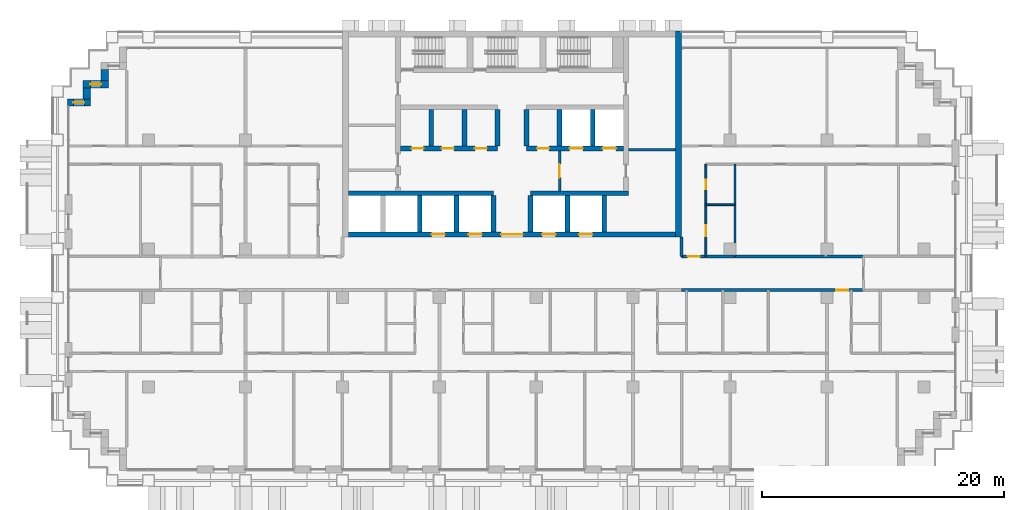
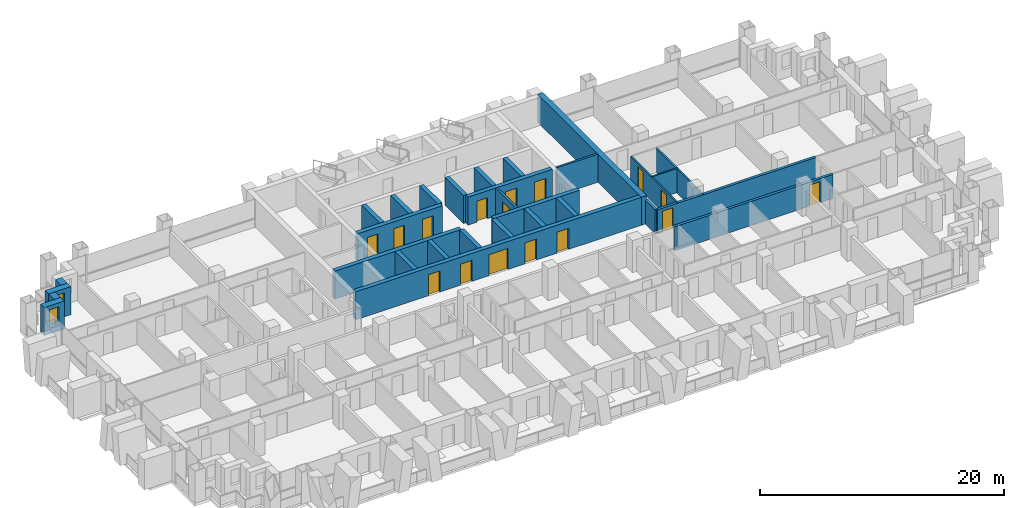
# One storey, part 12 of 19: 30 walls, 16 doors, 2 windows, 18 openings.
"""IFC4 building model written with IfcOpenShell, lengths in metres."""

from ifc_helpers import new_model, si_unit, direction, frame, frame_2d, origin, place, context, subcontext, project, spatial, rectangle, extrude, material, layer, layer_set, type_object, element, fill, save


model = new_model("IFC4")

# Units and contexts
model_context = context("Model", 3, precision=1e-05, world=origin(), true_north=direction((0.0, 1.0)))
body_context = subcontext(model_context, "Body", "Model", "MODEL_VIEW")
ifc_project = project(units=[si_unit("LENGTHUNIT", "METRE"), si_unit("AREAUNIT", "SQUARE_METRE"), si_unit("VOLUMEUNIT", "CUBIC_METRE"), si_unit("PLANEANGLEUNIT", "RADIAN"), si_unit("MASSUNIT", "GRAM", prefix="KILO")], contexts=[model_context])

# Site, building, storey
site_placement = place(None, origin())
site = spatial("IfcSite", under=ifc_project, at=site_placement, CompositionType="ELEMENT")
building_placement = place(site_placement, origin())
building = spatial("IfcBuilding", under=site, at=building_placement, Name="Vidyagriha Tower", CompositionType="ELEMENT")
storey_placement = place(building_placement, frame((0.0, 0.0, 60.800048828125)))
storey = spatial("IfcBuildingStorey", under=building, at=storey_placement, Name="L16", CompositionType="ELEMENT", Elevation=60.800048828125)

# Wall
ifc_material_1 = material(Name="Precast concrete C40/50 with brick facing", Category="concrete")
ifc_layer_1 = layer(ifc_material_1, 0.60009765625)
ifc_layer_set_1 = layer_set([ifc_layer_1], Name="Precast concrete C40/50 with brick facing")
wall_type_1 = type_object("IfcWallType", Name="Brick-faced precast wall 600", PredefinedType="STANDARD", material=ifc_layer_set_1)
wall_1_placement = place(storey_placement, frame((-33.60009765625, 16.800048828125, 0.0), z_axis=(0.0, 0.0, 1.0), x_axis=(0.0, -1.0, 0.0)))
element("IfcWall", 1, at=wall_1_placement, inside=storey, type_object=wall_type_1, Name="Stepped corner wall L16 R12", PredefinedType="STANDARD", context=body_context, shape_type="SweptSolid", body=[
    extrude(rectangle(XDim=0.900146484375, YDim=0.60009765625, at=frame_2d((0.4501953125, 0.0))), origin(), (0.0, 0.0, 1.0), 2.800048828125),
])

# Wall, opening, window
wall_2_placement = place(storey_placement, frame((-33.300048828125, 15.60009765625, 0.0), z_axis=(0.0, 0.0, 1.0), x_axis=(-1.0, 0.0, 0.0)))
wall_2 = element("IfcWall", 2, at=wall_2_placement, inside=storey, type_object=wall_type_1, Name="Stepped corner wall L16 R13", PredefinedType="STANDARD", context=body_context, shape_type="SweptSolid", body=[
    extrude(rectangle(XDim=2.099853515625, YDim=0.60009765625, at=frame_2d((1.0498046875, 0.0))), origin(), (0.0, 0.0, 1.0), 2.800048828125),
])
opening_1_placement = place(wall_2_placement, frame((0.60009765625, 0.0, 0.89990234375)))
opening_1 = element("IfcOpeningElement", 3, at=opening_1_placement, cuts=wall_2, Name="Opening WN1", PredefinedType="OPENING", context=body_context, shape_type="SweptSolid", body=[
    extrude(rectangle(XDim=0.89990234375, YDim=1.5, at=frame_2d((0.449951171875, 0.75))), frame((0.0, 0.31005859375, 0.0), z_axis=(0.0, -1.0, 0.0), x_axis=(1.0, 0.0, 0.0)), (0.0, 0.0, 1.0), 0.6201171875),
])
ifc_material_2 = material(Name="Aluminium and glass window", Category="aluminium")
window_type = type_object("IfcWindowType", Name="Reveal window 900x1500", PartitioningType="NOTDEFINED", PredefinedType="WINDOW", material=ifc_material_2)
window_1_placement = place(opening_1_placement, origin())
window_1 = element("IfcWindow", 4, at=window_1_placement, inside=storey, type_object=window_type, Name="Reveal window L16 R13", OverallHeight=1.5, OverallWidth=0.89990234375, PartitioningType="SINGLE_PANEL", PredefinedType="WINDOW", context=body_context, shape_type="SweptSolid", body=[
    extrude(rectangle(XDim=0.89990234375, YDim=1.5, at=frame_2d((0.449951171875, 0.75))), frame((0.0, 0.030029296875, 0.0), z_axis=(0.0, -1.0, 0.0), x_axis=(1.0, 0.0, 0.0)), (0.0, 0.0, 1.0), 0.06005859375),
])
fill(opening_1, window_1)

# Wall
wall_3_placement = place(storey_placement, frame((-35.10009765625, 15.300048828125, 0.0), z_axis=(0.0, 0.0, 1.0), x_axis=(0.0, -1.0, 0.0)))
element("IfcWall", 5, at=wall_3_placement, inside=storey, type_object=wall_type_1, Name="Stepped corner wall L16 R14", PredefinedType="STANDARD", context=body_context, shape_type="SweptSolid", body=[
    extrude(rectangle(XDim=0.900146484375, YDim=0.60009765625, at=frame_2d((0.4501953125, 0.0))), origin(), (0.0, 0.0, 1.0), 2.800048828125),
])

# Wall, opening, window
wall_4_placement = place(storey_placement, frame((-34.800048828125, 14.10009765625, 0.0), z_axis=(0.0, 0.0, 1.0), x_axis=(-1.0, 0.0, 0.0)))
wall_4 = element("IfcWall", 6, at=wall_4_placement, inside=storey, type_object=wall_type_1, Name="Stepped corner wall L16 R15", PredefinedType="STANDARD", context=body_context, shape_type="SweptSolid", body=[
    extrude(rectangle(XDim=1.8798828125, YDim=0.60009765625, at=frame_2d((0.93994140625, 0.0))), origin(), (0.0, 0.0, 1.0), 2.800048828125),
])
opening_2_placement = place(wall_4_placement, frame((0.489990234375, 0.0, 0.89990234375)))
opening_2 = element("IfcOpeningElement", 7, at=opening_2_placement, cuts=wall_4, Name="Opening WN1", PredefinedType="OPENING", context=body_context, shape_type="SweptSolid", body=[
    extrude(rectangle(XDim=0.89990234375, YDim=1.5, at=frame_2d((0.449951171875, 0.75))), frame((0.0, 0.31005859375, 0.0), z_axis=(0.0, -1.0, 0.0), x_axis=(1.0, 0.0, 0.0)), (0.0, 0.0, 1.0), 0.6201171875),
])
window_2_placement = place(opening_2_placement, origin())
window_2 = element("IfcWindow", 8, at=window_2_placement, inside=storey, type_object=window_type, Name="Reveal window L16 R15", OverallHeight=1.5, OverallWidth=0.89990234375, PartitioningType="SINGLE_PANEL", PredefinedType="WINDOW", context=body_context, shape_type="SweptSolid", body=[
    extrude(rectangle(XDim=0.89990234375, YDim=1.5, at=frame_2d((0.449951171875, 0.75))), frame((0.0, 0.030029296875, 0.0), z_axis=(0.0, -1.0, 0.0), x_axis=(1.0, 0.0, 0.0)), (0.0, 0.0, 1.0), 0.06005859375),
])
fill(opening_2, window_2)

# Wall, openings, doors
ifc_material_3 = material(Name="Concrete C60/75", Category="concrete")
ifc_layer_2 = layer(ifc_material_3, 0.39990234375)
ifc_layer_set_2 = layer_set([ifc_layer_2], Name="Concrete C60/75")
wall_type_2 = type_object("IfcWallType", Name="Core shear wall 400 mm", PredefinedType="SHEAR", material=ifc_layer_set_2)
wall_5_placement = place(storey_placement, frame((-13.5, 3.199951171875, 0.0)))
wall_5 = element("IfcWall", 9, at=wall_5_placement, inside=storey, type_object=wall_type_2, Name="Core front wall", PredefinedType="SHEAR", context=body_context, shape_type="SweptSolid", body=[
    extrude(rectangle(XDim=27.0, YDim=0.39990234375, at=frame_2d((13.5, 0.0))), origin(), (0.0, 0.0, 1.0), 2.800048828125),
])
opening_3_placement = place(wall_5_placement, frame((6.861083984375, 0.0, 0.0)))
opening_3 = element("IfcOpeningElement", 10, at=opening_3_placement, cuts=wall_5, Name="Opening LD16-01", PredefinedType="OPENING", context=body_context, shape_type="SweptSolid", body=[
    extrude(rectangle(XDim=1.10009765625, YDim=2.10009765625, at=frame_2d((0.550048828125, 1.050048828125))), frame((0.0, 0.2099609375, 0.0), z_axis=(0.0, -1.0, 0.0), x_axis=(1.0, 0.0, 0.0)), (0.0, 0.0, 1.0), 0.419921875),
])
opening_4_placement = place(wall_5_placement, frame((9.905517578125, 0.0, 0.0)))
opening_4 = element("IfcOpeningElement", 11, at=opening_4_placement, cuts=wall_5, Name="Opening LD16-02", PredefinedType="OPENING", context=body_context, shape_type="SweptSolid", body=[
    extrude(rectangle(XDim=1.10009765625, YDim=2.10009765625, at=frame_2d((0.550048828125, 1.050048828125))), frame((0.0, 0.2099609375, 0.0), z_axis=(0.0, -1.0, 0.0), x_axis=(1.0, 0.0, 0.0)), (0.0, 0.0, 1.0), 0.419921875),
])
opening_5_placement = place(wall_5_placement, frame((15.994384765625, 0.0, 0.0)))
opening_5 = element("IfcOpeningElement", 12, at=opening_5_placement, cuts=wall_5, Name="Opening LD16-03", PredefinedType="OPENING", context=body_context, shape_type="SweptSolid", body=[
    extrude(rectangle(XDim=1.10009765625, YDim=2.10009765625, at=frame_2d((0.550048828125, 1.050048828125))), frame((0.0, 0.2099609375, 0.0), z_axis=(0.0, -1.0, 0.0), x_axis=(1.0, 0.0, 0.0)), (0.0, 0.0, 1.0), 0.419921875),
])
opening_6_placement = place(wall_5_placement, frame((19.038818359375, 0.0, 0.0)))
opening_6 = element("IfcOpeningElement", 13, at=opening_6_placement, cuts=wall_5, Name="Opening LD16-04", PredefinedType="OPENING", context=body_context, shape_type="SweptSolid", body=[
    extrude(rectangle(XDim=1.10009765625, YDim=2.10009765625, at=frame_2d((0.550048828125, 1.050048828125))), frame((0.0, 0.2099609375, 0.0), z_axis=(0.0, -1.0, 0.0), x_axis=(1.0, 0.0, 0.0)), (0.0, 0.0, 1.0), 0.419921875),
])
opening_7_placement = place(wall_5_placement, frame((12.60009765625, 0.0, 0.0)))
opening_7 = element("IfcOpeningElement", 14, at=opening_7_placement, cuts=wall_5, Name="Opening D16-01", PredefinedType="OPENING", context=body_context, shape_type="SweptSolid", body=[
    extrude(rectangle(XDim=1.800048828125, YDim=2.10009765625, at=frame_2d((0.89990234375, 1.050048828125))), frame((0.0, 0.2099609375, 0.0), z_axis=(0.0, -1.0, 0.0), x_axis=(1.0, 0.0, 0.0)), (0.0, 0.0, 1.0), 0.419921875),
])
ifc_material_4 = material(Name="Hollow metal door leaf")
door_type_1 = type_object("IfcDoorType", Name="Core lobby double door 1800 x 2100 mm EI 60", OperationType="NOTDEFINED", PredefinedType="DOOR", material=ifc_material_4)
door_1_placement = place(opening_7_placement, frame((1.800048828125, 0.0, 0.0), z_axis=(0.0, 0.0, 1.0), x_axis=(-1.0, 0.0, 0.0)))
door_1 = element("IfcDoor", 15, at=door_1_placement, inside=storey, type_object=door_type_1, Name="Core entrance door L16", OperationType="DOUBLE_DOOR_SINGLE_SWING", OverallHeight=2.10009765625, OverallWidth=1.800048828125, PredefinedType="DOOR", context=body_context, shape_type="SweptSolid", body=[
    extrude(rectangle(XDim=1.800048828125, YDim=2.10009765625, at=frame_2d((0.89990234375, 1.050048828125))), frame((0.0, 0.02490234375, 0.0), z_axis=(0.0, -1.0, 0.0), x_axis=(1.0, 0.0, 0.0)), (0.0, 0.0, 1.0), 0.050048828125),
])
fill(opening_7, door_1)
ifc_material_5 = material(Name="Stainless steel sliding door panel", Category="steel")
door_type_2 = type_object("IfcDoorType", Name="Lift landing door 1100 x 2100 mm EI 90", OperationType="NOTDEFINED", PredefinedType="DOOR", material=ifc_material_5)
door_2_placement = place(opening_3_placement, origin())
door_2 = element("IfcDoor", 16, at=door_2_placement, inside=storey, type_object=door_type_2, Name="Landing door LR1 L16", OperationType="SLIDING_TO_LEFT", OverallHeight=2.10009765625, OverallWidth=1.10009765625, PredefinedType="DOOR", context=body_context, shape_type="SweptSolid", body=[
    extrude(rectangle(XDim=1.10009765625, YDim=2.10009765625, at=frame_2d((0.550048828125, 1.050048828125))), frame((0.0, 0.02490234375, 0.0), z_axis=(0.0, -1.0, 0.0), x_axis=(1.0, 0.0, 0.0)), (0.0, 0.0, 1.0), 0.050048828125),
])
fill(opening_3, door_2)
door_3_placement = place(opening_4_placement, origin())
door_3 = element("IfcDoor", 17, at=door_3_placement, inside=storey, type_object=door_type_2, Name="Landing door LR2 L16", OperationType="SLIDING_TO_LEFT", OverallHeight=2.10009765625, OverallWidth=1.10009765625, PredefinedType="DOOR", context=body_context, shape_type="SweptSolid", body=[
    extrude(rectangle(XDim=1.10009765625, YDim=2.10009765625, at=frame_2d((0.550048828125, 1.050048828125))), frame((0.0, 0.02490234375, 0.0), z_axis=(0.0, -1.0, 0.0), x_axis=(1.0, 0.0, 0.0)), (0.0, 0.0, 1.0), 0.050048828125),
])
fill(opening_4, door_3)
door_4_placement = place(opening_5_placement, origin())
door_4 = element("IfcDoor", 18, at=door_4_placement, inside=storey, type_object=door_type_2, Name="Landing door LR3 L16", OperationType="SLIDING_TO_LEFT", OverallHeight=2.10009765625, OverallWidth=1.10009765625, PredefinedType="DOOR", context=body_context, shape_type="SweptSolid", body=[
    extrude(rectangle(XDim=1.10009765625, YDim=2.10009765625, at=frame_2d((0.550048828125, 1.050048828125))), frame((0.0, 0.02490234375, 0.0), z_axis=(0.0, -1.0, 0.0), x_axis=(1.0, 0.0, 0.0)), (0.0, 0.0, 1.0), 0.050048828125),
])
fill(opening_5, door_4)
door_5_placement = place(opening_6_placement, origin())
door_5 = element("IfcDoor", 19, at=door_5_placement, inside=storey, type_object=door_type_2, Name="Landing door LR4 L16", OperationType="SLIDING_TO_LEFT", OverallHeight=2.10009765625, OverallWidth=1.10009765625, PredefinedType="DOOR", context=body_context, shape_type="SweptSolid", body=[
    extrude(rectangle(XDim=1.10009765625, YDim=2.10009765625, at=frame_2d((0.550048828125, 1.050048828125))), frame((0.0, 0.02490234375, 0.0), z_axis=(0.0, -1.0, 0.0), x_axis=(1.0, 0.0, 0.0)), (0.0, 0.0, 1.0), 0.050048828125),
])
fill(opening_6, door_5)

# Walls
wall_6_placement = place(storey_placement, frame((-13.5, 6.60009765625, 0.0)))
element("IfcWall", 20, at=wall_6_placement, inside=storey, type_object=wall_type_2, Name="Core lobby south wall west", PredefinedType="SHEAR", context=body_context, shape_type="SweptSolid", body=[
    extrude(rectangle(XDim=11.977783203125, YDim=0.39990234375, at=frame_2d((5.98876953125, 0.0))), origin(), (0.0, 0.0, 1.0), 2.800048828125),
])
wall_7_placement = place(storey_placement, frame((1.522216796875, 6.60009765625, 0.0)))
element("IfcWall", 21, at=wall_7_placement, inside=storey, type_object=wall_type_2, Name="Core lobby south wall east", PredefinedType="SHEAR", context=body_context, shape_type="SweptSolid", body=[
    extrude(rectangle(XDim=8.077880859375, YDim=0.39990234375, at=frame_2d((4.0390625, 0.0))), origin(), (0.0, 0.0, 1.0), 2.800048828125),
])
for number, where, z_axis, x_axis, name in (
    (22, (-7.611083984375, 3.39990234375, 0.0), (0.0, 0.0, 1.0), (0.0, 1.0, 0.0), "Core bay wall S2"),
    (23, (-4.566650390625, 3.39990234375, 0.0), (0.0, 0.0, 1.0), (0.0, 1.0, 0.0), "Core bay wall S3"),
    (24, (-1.522216796875, 3.39990234375, 0.0), (0.0, 0.0, 1.0), (0.0, 1.0, 0.0), "Core bay wall S4"),
    (25, (1.522216796875, 3.39990234375, 0.0), (0.0, 0.0, 1.0), (0.0, 1.0, 0.0), "Core bay wall S5"),
    (26, (4.566650390625, 3.39990234375, 0.0), (0.0, 0.0, 1.0), (0.0, 1.0, 0.0), "Core bay wall S6"),
    (27, (7.611083984375, 3.39990234375, 0.0), (0.0, 0.0, 1.0), (0.0, 1.0, 0.0), "Core bay wall S7"),
):
    element("IfcWall", number, at=place(storey_placement, frame(where, z_axis=z_axis, x_axis=x_axis)), inside=storey, type_object=wall_type_2, Name=name, PredefinedType="SHEAR", context=body_context, shape_type="SweptSolid", body=[
        extrude(rectangle(XDim=3.0, YDim=0.39990234375, at=frame_2d((1.5, 0.0))), origin(), (0.0, 0.0, 1.0), 2.800048828125),
    ])

# Wall, openings, doors
wall_8_placement = place(storey_placement, frame((-9.199951171875, 10.300048828125, 0.0)))
wall_8 = element("IfcWall", 28, at=wall_8_placement, inside=storey, type_object=wall_type_2, Name="Core row N front wall", PredefinedType="SHEAR", context=body_context, shape_type="SweptSolid", body=[
    extrude(rectangle(XDim=8.0, YDim=0.39990234375, at=frame_2d((4.0, 0.0))), origin(), (0.0, 0.0, 1.0), 2.800048828125),
])
opening_8_placement = place(wall_8_placement, frame((0.916748046875, 0.0, 0.0)))
opening_8 = element("IfcOpeningElement", 29, at=opening_8_placement, cuts=wall_8, Name="Opening D16-02", PredefinedType="OPENING", context=body_context, shape_type="SweptSolid", body=[
    extrude(rectangle(XDim=1.0, YDim=2.10009765625, at=frame_2d((0.5, 1.050048828125))), frame((0.0, 0.2099609375, 0.0), z_axis=(0.0, -1.0, 0.0), x_axis=(1.0, 0.0, 0.0)), (0.0, 0.0, 1.0), 0.419921875),
])
opening_9_placement = place(wall_8_placement, frame((3.39990234375, 0.0, 0.0)))
opening_9 = element("IfcOpeningElement", 30, at=opening_9_placement, cuts=wall_8, Name="Opening D16-03", PredefinedType="OPENING", context=body_context, shape_type="SweptSolid", body=[
    extrude(rectangle(XDim=1.0, YDim=2.10009765625, at=frame_2d((0.5, 1.050048828125))), frame((0.0, 0.2099609375, 0.0), z_axis=(0.0, -1.0, 0.0), x_axis=(1.0, 0.0, 0.0)), (0.0, 0.0, 1.0), 0.419921875),
])
opening_10_placement = place(wall_8_placement, frame((6.13330078125, 0.0, 0.0)))
opening_10 = element("IfcOpeningElement", 31, at=opening_10_placement, cuts=wall_8, Name="Opening D16-04", PredefinedType="OPENING", context=body_context, shape_type="SweptSolid", body=[
    extrude(rectangle(XDim=1.0, YDim=2.10009765625, at=frame_2d((0.5, 1.050048828125))), frame((0.0, 0.2099609375, 0.0), z_axis=(0.0, -1.0, 0.0), x_axis=(1.0, 0.0, 0.0)), (0.0, 0.0, 1.0), 0.419921875),
])
ifc_material_6 = material(Name="Hollow metal door leaf")
door_type_3 = type_object("IfcDoorType", Name="Core room door 1000 x 2100 mm EI 60", OperationType="NOTDEFINED", PredefinedType="DOOR", material=ifc_material_6)
door_6_placement = place(opening_8_placement, frame((1.0, 0.0, 0.0), z_axis=(0.0, 0.0, 1.0), x_axis=(-1.0, 0.0, 0.0)))
door_6 = element("IfcDoor", 32, at=door_6_placement, inside=storey, type_object=door_type_3, Name="Door Mechanical Riser Room 16.14", OperationType="SINGLE_SWING_RIGHT", OverallHeight=2.10009765625, OverallWidth=1.0, PredefinedType="DOOR", context=body_context, shape_type="SweptSolid", body=[
    extrude(rectangle(XDim=1.0, YDim=2.10009765625, at=frame_2d((0.5, 1.050048828125))), frame((0.0, 0.02490234375, 0.0), z_axis=(0.0, -1.0, 0.0), x_axis=(1.0, 0.0, 0.0)), (0.0, 0.0, 1.0), 0.050048828125),
])
fill(opening_8, door_6)
door_7_placement = place(opening_9_placement, frame((1.0, 0.0, 0.0), z_axis=(0.0, 0.0, 1.0), x_axis=(-1.0, 0.0, 0.0)))
door_7 = element("IfcDoor", 33, at=door_7_placement, inside=storey, type_object=door_type_3, Name="Door Storage Room 16.15", OperationType="SINGLE_SWING_RIGHT", OverallHeight=2.10009765625, OverallWidth=1.0, PredefinedType="DOOR", context=body_context, shape_type="SweptSolid", body=[
    extrude(rectangle(XDim=1.0, YDim=2.10009765625, at=frame_2d((0.5, 1.050048828125))), frame((0.0, 0.02490234375, 0.0), z_axis=(0.0, -1.0, 0.0), x_axis=(1.0, 0.0, 0.0)), (0.0, 0.0, 1.0), 0.050048828125),
])
fill(opening_9, door_7)
door_8_placement = place(opening_10_placement, frame((1.0, 0.0, 0.0), z_axis=(0.0, 0.0, 1.0), x_axis=(-1.0, 0.0, 0.0)))
door_8 = element("IfcDoor", 34, at=door_8_placement, inside=storey, type_object=door_type_3, Name="Door Communications Room 16.16", OperationType="SINGLE_SWING_LEFT", OverallHeight=2.10009765625, OverallWidth=1.0, PredefinedType="DOOR", context=body_context, shape_type="SweptSolid", body=[
    extrude(rectangle(XDim=1.0, YDim=2.10009765625, at=frame_2d((0.5, 1.050048828125))), frame((0.0, 0.02490234375, 0.0), z_axis=(0.0, -1.0, 0.0), x_axis=(1.0, 0.0, 0.0)), (0.0, 0.0, 1.0), 0.050048828125),
])
fill(opening_10, door_8)

wall_9_placement = place(storey_placement, frame((1.199951171875, 10.300048828125, 0.0)))
wall_9 = element("IfcWall", 35, at=wall_9_placement, inside=storey, type_object=wall_type_2, Name="Core row N front wall", PredefinedType="SHEAR", context=body_context, shape_type="SweptSolid", body=[
    extrude(rectangle(XDim=8.0, YDim=0.39990234375, at=frame_2d((4.0, 0.0))), origin(), (0.0, 0.0, 1.0), 2.800048828125),
])
opening_11_placement = place(wall_9_placement, frame((3.550048828125, 0.0, 0.0)))
opening_11 = element("IfcOpeningElement", 36, at=opening_11_placement, cuts=wall_9, Name="Opening LD16-05", PredefinedType="OPENING", context=body_context, shape_type="SweptSolid", body=[
    extrude(rectangle(XDim=1.10009765625, YDim=2.10009765625, at=frame_2d((0.550048828125, 1.050048828125))), frame((0.0, 0.2099609375, 0.0), z_axis=(0.0, -1.0, 0.0), x_axis=(1.0, 0.0, 0.0)), (0.0, 0.0, 1.0), 0.419921875),
])
opening_12_placement = place(wall_9_placement, frame((6.283203125, 0.0, 0.0)))
opening_12 = element("IfcOpeningElement", 37, at=opening_12_placement, cuts=wall_9, Name="Opening LD16-06", PredefinedType="OPENING", context=body_context, shape_type="SweptSolid", body=[
    extrude(rectangle(XDim=1.10009765625, YDim=2.10009765625, at=frame_2d((0.550048828125, 1.050048828125))), frame((0.0, 0.2099609375, 0.0), z_axis=(0.0, -1.0, 0.0), x_axis=(1.0, 0.0, 0.0)), (0.0, 0.0, 1.0), 0.419921875),
])
opening_13_placement = place(wall_9_placement, frame((0.86669921875, 0.0, 0.0)))
opening_13 = element("IfcOpeningElement", 38, at=opening_13_placement, cuts=wall_9, Name="Opening D16-05", PredefinedType="OPENING", context=body_context, shape_type="SweptSolid", body=[
    extrude(rectangle(XDim=1.0, YDim=2.10009765625, at=frame_2d((0.5, 1.050048828125))), frame((0.0, 0.2099609375, 0.0), z_axis=(0.0, -1.0, 0.0), x_axis=(1.0, 0.0, 0.0)), (0.0, 0.0, 1.0), 0.419921875),
])
door_9_placement = place(opening_13_placement, frame((1.0, 0.0, 0.0), z_axis=(0.0, 0.0, 1.0), x_axis=(-1.0, 0.0, 0.0)))
door_9 = element("IfcDoor", 39, at=door_9_placement, inside=storey, type_object=door_type_3, Name="Door Refuse Room 16.17", OperationType="SINGLE_SWING_LEFT", OverallHeight=2.10009765625, OverallWidth=1.0, PredefinedType="DOOR", context=body_context, shape_type="SweptSolid", body=[
    extrude(rectangle(XDim=1.0, YDim=2.10009765625, at=frame_2d((0.5, 1.050048828125))), frame((0.0, 0.02490234375, 0.0), z_axis=(0.0, -1.0, 0.0), x_axis=(1.0, 0.0, 0.0)), (0.0, 0.0, 1.0), 0.050048828125),
])
fill(opening_13, door_9)
door_10_placement = place(opening_11_placement, origin())
door_10 = element("IfcDoor", 40, at=door_10_placement, inside=storey, type_object=door_type_2, Name="Landing door FF1 L16", OperationType="SLIDING_TO_LEFT", OverallHeight=2.10009765625, OverallWidth=1.10009765625, PredefinedType="DOOR", context=body_context, shape_type="SweptSolid", body=[
    extrude(rectangle(XDim=1.10009765625, YDim=2.10009765625, at=frame_2d((0.550048828125, 1.050048828125))), frame((0.0, 0.02490234375, 0.0), z_axis=(0.0, -1.0, 0.0), x_axis=(1.0, 0.0, 0.0)), (0.0, 0.0, 1.0), 0.050048828125),
])
fill(opening_11, door_10)
door_11_placement = place(opening_12_placement, origin())
door_11 = element("IfcDoor", 41, at=door_11_placement, inside=storey, type_object=door_type_2, Name="Landing door FF2 L16", OperationType="SLIDING_TO_LEFT", OverallHeight=2.10009765625, OverallWidth=1.10009765625, PredefinedType="DOOR", context=body_context, shape_type="SweptSolid", body=[
    extrude(rectangle(XDim=1.10009765625, YDim=2.10009765625, at=frame_2d((0.550048828125, 1.050048828125))), frame((0.0, 0.02490234375, 0.0), z_axis=(0.0, -1.0, 0.0), x_axis=(1.0, 0.0, 0.0)), (0.0, 0.0, 1.0), 0.050048828125),
])
fill(opening_12, door_11)

# Walls
for number, where, z_axis, x_axis, name in (
    (42, (-6.666748046875, 10.5, 0.0), (0.0, 0.0, 1.0), (0.0, 1.0, 0.0), "Core bay wall N1"),
    (43, (-3.933349609375, 10.5, 0.0), (0.0, 0.0, 1.0), (0.0, 1.0, 0.0), "Core bay wall N2"),
    (44, (-1.199951171875, 10.5, 0.0), (0.0, 0.0, 1.0), (0.0, 1.0, 0.0), "Core bay wall N3"),
    (45, (1.199951171875, 10.5, 0.0), (0.0, 0.0, 1.0), (0.0, 1.0, 0.0), "Core bay wall N4"),
    (46, (3.933349609375, 10.5, 0.0), (0.0, 0.0, 1.0), (0.0, 1.0, 0.0), "Core bay wall N5"),
    (47, (6.666748046875, 10.5, 0.0), (0.0, 0.0, 1.0), (0.0, 1.0, 0.0), "Core bay wall N6"),
):
    element("IfcWall", number, at=place(storey_placement, frame(where, z_axis=z_axis, x_axis=x_axis)), inside=storey, type_object=wall_type_2, Name=name, PredefinedType="SHEAR", context=body_context, shape_type="SweptSolid", body=[
        extrude(rectangle(XDim=3.0, YDim=0.39990234375, at=frame_2d((1.5, 0.0))), origin(), (0.0, 0.0, 1.0), 2.800048828125),
    ])
ifc_material_7 = material(Name="Concrete C60/75", Category="concrete")
ifc_layer_3 = layer(ifc_material_7, 0.5)
ifc_layer_set_3 = layer_set([ifc_layer_3], Name="Concrete C60/75")
wall_type_3 = type_object("IfcWallType", Name="Core shear wall 500 mm", PredefinedType="SHEAR", material=ifc_layer_set_3)
wall_10_placement = place(storey_placement, frame((13.75, 3.0, 0.0), z_axis=(0.0, 0.0, 1.0), x_axis=(0.0, 1.0, 0.0)))
element("IfcWall", 48, at=wall_10_placement, inside=storey, type_object=wall_type_3, Name="Core east wall", PredefinedType="SHEAR", context=body_context, shape_type="SweptSolid", body=[
    extrude(rectangle(XDim=17.0, YDim=0.5, at=frame_2d((8.5, 0.0))), origin(), (0.0, 0.0, 1.0), 2.800048828125),
])

# Wall, opening, door
ifc_material_8 = material(Name="Fired clay brick masonry", Category="masonry")
ifc_layer_4 = layer(ifc_material_8, 0.25)
ifc_layer_set_4 = layer_set([ifc_layer_4], Name="Fired clay brick masonry")
wall_type_4 = type_object("IfcWallType", Name="Fired clay brick corridor wall 250", PredefinedType="PARTITIONING", material=ifc_layer_set_4)
wall_11_placement = place(storey_placement, frame((29.0, -1.39990234375, 0.0), z_axis=(0.0, 0.0, 1.0), x_axis=(-1.0, 0.0, 0.0)))
wall_11 = element("IfcWall", 49, at=wall_11_placement, inside=storey, type_object=wall_type_4, Name="Wall all-L16-w091", PredefinedType="PARTITIONING", context=body_context, shape_type="SweptSolid", body=[
    extrude(rectangle(XDim=15.0, YDim=0.25, at=frame_2d((7.5, 0.0))), origin(), (0.0, 0.0, 1.0), 2.39990234375),
])
opening_14_placement = place(wall_11_placement, frame((1.239990234375, 0.0, 0.0)))
opening_14 = element("IfcOpeningElement", 50, at=opening_14_placement, cuts=wall_11, Name="Opening D16-56", PredefinedType="OPENING", context=body_context, shape_type="SweptSolid", body=[
    extrude(rectangle(XDim=1.0, YDim=2.10009765625, at=frame_2d((0.5, 1.050048828125))), frame((0.0, 0.135009765625, 0.0), z_axis=(0.0, -1.0, 0.0), x_axis=(1.0, 0.0, 0.0)), (0.0, 0.0, 1.0), 0.27001953125),
])
ifc_material_9 = material(Name="Fire-rated timber door leaf EI 60", Category="wood")
door_type_4 = type_object("IfcDoorType", Name="Flat entrance fire door 1000x2100", OperationType="NOTDEFINED", PredefinedType="DOOR", material=ifc_material_9)
door_12_placement = place(opening_14_placement, origin())
door_12 = element("IfcDoor", 51, at=door_12_placement, inside=storey, type_object=door_type_4, Name="Door D16-56", OperationType="SINGLE_SWING_RIGHT", OverallHeight=2.10009765625, OverallWidth=1.0, PredefinedType="DOOR", context=body_context, shape_type="SweptSolid", body=[
    extrude(rectangle(XDim=1.0, YDim=2.10009765625, at=frame_2d((0.5, 1.050048828125))), frame((0.0, 0.02490234375, 0.0), z_axis=(0.0, -1.0, 0.0), x_axis=(1.0, 0.0, 0.0)), (0.0, 0.0, 1.0), 0.050048828125),
])
fill(opening_14, door_12)

wall_12_placement = place(storey_placement, frame((14.0, 1.39990234375, 0.0)))
wall_12 = element("IfcWall", 52, at=wall_12_placement, inside=storey, type_object=wall_type_4, Name="Wall all-L16-w140", PredefinedType="PARTITIONING", context=body_context, shape_type="SweptSolid", body=[
    extrude(rectangle(XDim=15.0, YDim=0.25, at=frame_2d((7.5, 0.0))), origin(), (0.0, 0.0, 1.0), 2.39990234375),
])
opening_15_placement = place(wall_12_placement, frame((0.5, 0.0, 0.0)))
opening_15 = element("IfcOpeningElement", 53, at=opening_15_placement, cuts=wall_12, Name="Opening D16-78", PredefinedType="OPENING", context=body_context, shape_type="SweptSolid", body=[
    extrude(rectangle(XDim=1.0, YDim=2.10009765625, at=frame_2d((0.5, 1.050048828125))), frame((0.0, 0.135009765625, 0.0), z_axis=(0.0, -1.0, 0.0), x_axis=(1.0, 0.0, 0.0)), (0.0, 0.0, 1.0), 0.27001953125),
])
door_13_placement = place(opening_15_placement, origin())
door_13 = element("IfcDoor", 54, at=door_13_placement, inside=storey, type_object=door_type_4, Name="Door D16-78", OperationType="SINGLE_SWING_LEFT", OverallHeight=2.10009765625, OverallWidth=1.0, PredefinedType="DOOR", context=body_context, shape_type="SweptSolid", body=[
    extrude(rectangle(XDim=1.0, YDim=2.10009765625, at=frame_2d((0.5, 1.050048828125))), frame((0.0, 0.02490234375, 0.0), z_axis=(0.0, -1.0, 0.0), x_axis=(1.0, 0.0, 0.0)), (0.0, 0.0, 1.0), 0.050048828125),
])
fill(opening_15, door_13)

# Walls
wall_13_placement = place(storey_placement, frame((14.0, 1.39990234375, 0.0), z_axis=(0.0, 0.0, 1.0), x_axis=(0.0, 1.0, 0.0)))
element("IfcWall", 55, at=wall_13_placement, inside=storey, type_object=wall_type_4, Name="Wall all-L16-w148", PredefinedType="PARTITIONING", context=body_context, shape_type="SweptSolid", body=[
    extrude(rectangle(XDim=1.60009765625, YDim=0.25, at=frame_2d((0.800048828125, 0.0))), origin(), (0.0, 0.0, 1.0), 2.39990234375),
])
ifc_material_10 = material(Name="Gypsum board partition")
ifc_layer_5 = layer(ifc_material_10, 0.14990234375)
ifc_layer_set_5 = layer_set([ifc_layer_5], Name="Gypsum board partition")
wall_type_5 = type_object("IfcWallType", Name="Gypsum board partition 150", PredefinedType="PARTITIONING", material=ifc_layer_set_5)
wall_14_placement = place(storey_placement, frame((16.0, 5.64990234375, 0.0)))
element("IfcWall", 56, at=wall_14_placement, inside=storey, type_object=wall_type_5, Name="Wall all-L16-w123", PredefinedType="PARTITIONING", context=body_context, shape_type="SweptSolid", body=[
    extrude(rectangle(XDim=2.39990234375, YDim=0.14990234375, at=frame_2d((1.199951171875, 0.0))), origin(), (0.0, 0.0, 1.0), 2.39990234375),
])
wall_15_placement = place(storey_placement, frame((18.39990234375, 9.0, 0.0), z_axis=(0.0, 0.0, 1.0), x_axis=(0.0, -1.0, 0.0)))
element("IfcWall", 57, at=wall_15_placement, inside=storey, type_object=wall_type_5, Name="Wall all-L16-w124", PredefinedType="PARTITIONING", context=body_context, shape_type="SweptSolid", body=[
    extrude(rectangle(XDim=7.60009765625, YDim=0.14990234375, at=frame_2d((3.800048828125, 0.0))), origin(), (0.0, 0.0, 1.0), 2.39990234375),
])

# Wall, openings, doors
ifc_material_11 = material(Name="Moisture resistant gypsum board partition")
ifc_layer_6 = layer(ifc_material_11, 0.14990234375)
ifc_layer_set_6 = layer_set([ifc_layer_6], Name="Moisture resistant gypsum board partition")
wall_type_6 = type_object("IfcWallType", Name="Gypsum board wet-area partition 150", PredefinedType="PARTITIONING", material=ifc_layer_set_6)
wall_16_placement = place(storey_placement, frame((16.0, 9.0, 0.0), z_axis=(0.0, 0.0, 1.0), x_axis=(0.0, -1.0, 0.0)))
wall_16 = element("IfcWall", 58, at=wall_16_placement, inside=storey, type_object=wall_type_6, Name="Wall all-L16-w120", PredefinedType="PARTITIONING", context=body_context, shape_type="SweptSolid", body=[
    extrude(rectangle(XDim=7.60009765625, YDim=0.14990234375, at=frame_2d((3.800048828125, 0.0))), origin(), (0.0, 0.0, 1.0), 2.39990234375),
])
opening_16_placement = place(wall_16_placement, frame((5.02490234375, 0.0, 0.0)))
opening_16 = element("IfcOpeningElement", 59, at=opening_16_placement, cuts=wall_16, Name="Opening D16-69", PredefinedType="OPENING", context=body_context, shape_type="SweptSolid", body=[
    extrude(rectangle(XDim=0.89990234375, YDim=2.10009765625, at=frame_2d((0.449951171875, 1.050048828125))), frame((0.0, 0.0849609375, 0.0), z_axis=(0.0, -1.0, 0.0), x_axis=(1.0, 0.0, 0.0)), (0.0, 0.0, 1.0), 0.169921875),
])
opening_17_placement = place(wall_16_placement, frame((1.27490234375, 0.0, 0.0)))
opening_17 = element("IfcOpeningElement", 60, at=opening_17_placement, cuts=wall_16, Name="Opening D16-70", PredefinedType="OPENING", context=body_context, shape_type="SweptSolid", body=[
    extrude(rectangle(XDim=0.800048828125, YDim=2.10009765625, at=frame_2d((0.39990234375, 1.050048828125))), frame((0.0, 0.0849609375, 0.0), z_axis=(0.0, -1.0, 0.0), x_axis=(1.0, 0.0, 0.0)), (0.0, 0.0, 1.0), 0.169921875),
])
ifc_material_12 = material(Name="Timber door leaf", Category="wood")
door_type_5 = type_object("IfcDoorType", Name="Bathroom door 800x2100", OperationType="NOTDEFINED", PredefinedType="DOOR", material=ifc_material_12)
door_14_placement = place(opening_17_placement, origin())
door_14 = element("IfcDoor", 61, at=door_14_placement, inside=storey, type_object=door_type_5, Name="Door D16-70", OperationType="SINGLE_SWING_RIGHT", OverallHeight=2.10009765625, OverallWidth=0.800048828125, PredefinedType="DOOR", context=body_context, shape_type="SweptSolid", body=[
    extrude(rectangle(XDim=0.800048828125, YDim=2.10009765625, at=frame_2d((0.39990234375, 1.050048828125))), frame((0.0, 0.02490234375, 0.0), z_axis=(0.0, -1.0, 0.0), x_axis=(1.0, 0.0, 0.0)), (0.0, 0.0, 1.0), 0.050048828125),
])
fill(opening_17, door_14)
ifc_material_13 = material(Name="Timber door leaf", Category="wood")
door_type_6 = type_object("IfcDoorType", Name="Kitchen door 900x2100", OperationType="NOTDEFINED", PredefinedType="DOOR", material=ifc_material_13)
door_15_placement = place(opening_16_placement, origin())
door_15 = element("IfcDoor", 62, at=door_15_placement, inside=storey, type_object=door_type_6, Name="Door D16-69", OperationType="SINGLE_SWING_LEFT", OverallHeight=2.10009765625, OverallWidth=0.89990234375, PredefinedType="DOOR", context=body_context, shape_type="SweptSolid", body=[
    extrude(rectangle(XDim=0.89990234375, YDim=2.10009765625, at=frame_2d((0.449951171875, 1.050048828125))), frame((0.0, 0.02490234375, 0.0), z_axis=(0.0, -1.0, 0.0), x_axis=(1.0, 0.0, 0.0)), (0.0, 0.0, 1.0), 0.050048828125),
])
fill(opening_16, door_15)

# Wall, opening, door
ifc_material_14 = material(Name="Blockwork 15 MPa", Category="masonry")
ifc_layer_7 = layer(ifc_material_14, 0.199951171875)
ifc_layer_set_7 = layer_set([ifc_layer_7], Name="Blockwork 15 MPa")
wall_type_7 = type_object("IfcWallType", Name="Service room partition 200 mm", PredefinedType="PARTITIONING", material=ifc_layer_set_7)
wall_17_placement = place(storey_placement, frame((3.933349609375, 6.800048828125, 0.0), z_axis=(0.0, 0.0, 1.0), x_axis=(0.0, 1.0, 0.0)))
wall_17 = element("IfcWall", 63, at=wall_17_placement, inside=storey, type_object=wall_type_7, Name="Fire-fighting lobby west wall", PredefinedType="PARTITIONING", context=body_context, shape_type="SweptSolid", body=[
    extrude(rectangle(XDim=3.300048828125, YDim=0.199951171875, at=frame_2d((1.64990234375, 0.0))), origin(), (0.0, 0.0, 1.0), 2.800048828125),
])
opening_18_placement = place(wall_17_placement, frame((1.10009765625, 0.0, 0.0)))
opening_18 = element("IfcOpeningElement", 64, at=opening_18_placement, cuts=wall_17, Name="Opening D16-06", PredefinedType="OPENING", context=body_context, shape_type="SweptSolid", body=[
    extrude(rectangle(XDim=1.10009765625, YDim=2.10009765625, at=frame_2d((0.550048828125, 1.050048828125))), frame((0.0, 0.10986328125, 0.0), z_axis=(0.0, -1.0, 0.0), x_axis=(1.0, 0.0, 0.0)), (0.0, 0.0, 1.0), 0.219970703125),
])
ifc_material_15 = material(Name="Hollow metal door leaf")
door_type_7 = type_object("IfcDoorType", Name="Fire-fighting lobby door 1100 x 2100 mm EI 90", OperationType="NOTDEFINED", PredefinedType="DOOR", material=ifc_material_15)
door_16_placement = place(opening_18_placement, origin())
door_16 = element("IfcDoor", 65, at=door_16_placement, inside=storey, type_object=door_type_7, Name="Fire-fighting lobby door L16", OperationType="SINGLE_SWING_RIGHT", OverallHeight=2.10009765625, OverallWidth=1.10009765625, PredefinedType="DOOR", context=body_context, shape_type="SweptSolid", body=[
    extrude(rectangle(XDim=1.10009765625, YDim=2.10009765625, at=frame_2d((0.550048828125, 1.050048828125))), frame((0.0, 0.02490234375, 0.0), z_axis=(0.0, -1.0, 0.0), x_axis=(1.0, 0.0, 0.0)), (0.0, 0.0, 1.0), 0.050048828125),
])
fill(opening_18, door_16)

# Wall
wall_18_placement = place(storey_placement, frame((9.60009765625, 10.199951171875, 0.0)))
element("IfcWall", 66, at=wall_18_placement, inside=storey, type_object=wall_type_7, Name="Core room partition E1", PredefinedType="PARTITIONING", context=body_context, shape_type="SweptSolid", body=[
    extrude(rectangle(XDim=3.89990234375, YDim=0.199951171875, at=frame_2d((1.949951171875, 0.0))), origin(), (0.0, 0.0, 1.0), 2.800048828125),
])

save(model, "model.ifc")
